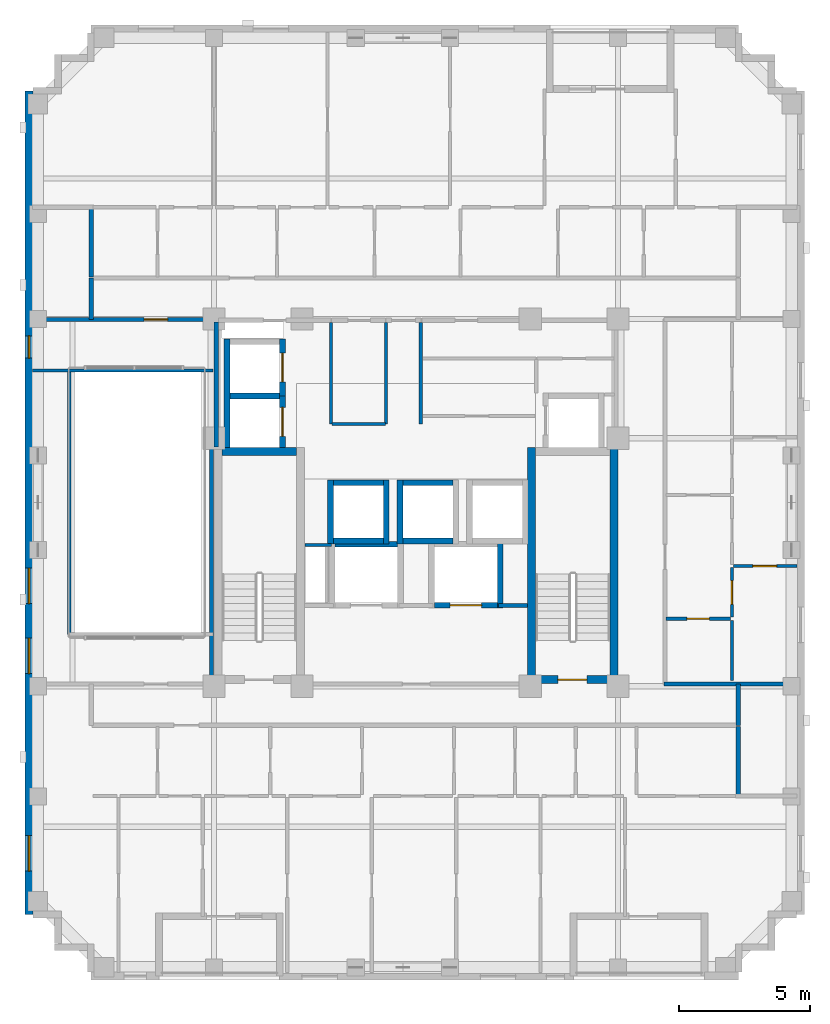
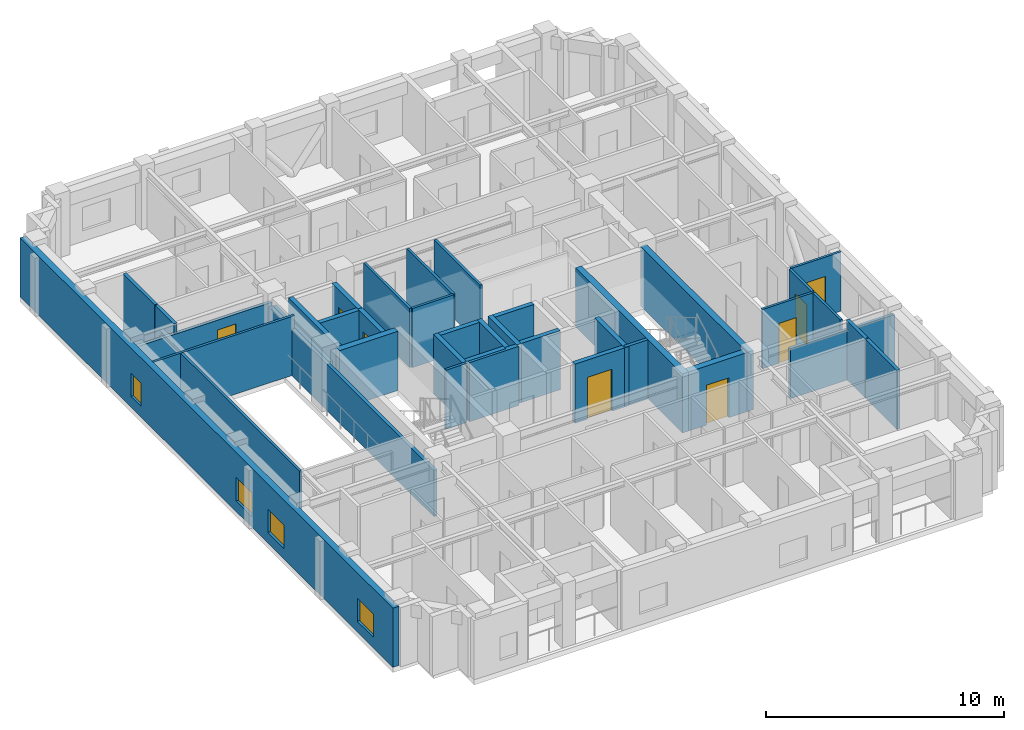
# One storey, part 6 of 13: 39 walls, 8 doors, 4 windows, 12 openings.
"""IFC4 building model written with IfcOpenShell, lengths in metres."""

import ifcopenshell
import ifcopenshell.guid

model = None  # the IFC model being written
_history = None  # IfcOwnerHistory: only IFC2X3 demands one
_inside = {}  # id of a spatial element -> (the spatial element, [elements in it])
_under = {}  # id of a project, library or spatial element -> (it, [spatial elements below it])
_declared = {}  # id of a project -> (the project, [libraries it declares])
_typed = {}  # id of a type object -> (the type object, [elements of that type])
_made_of = {}  # id of a material, layer set ... -> (it, [elements and type objects made of it])


def new_model(schema):
    """Start an empty IFC model of exactly this schema.

    Asked for "IFC4X3", IfcOpenShell would pick the latest addendum, in which some entities
    have other attributes; the version numbers below select the first issue.
    IFC2X3 requires an IfcOwnerHistory on every rooted entity: one is made here for all.
    """
    global model, _history
    if schema == "IFC4X3":
        model = ifcopenshell.file(schema_version=(4, 3, 0, 0))
    else:
        model = ifcopenshell.file(schema=schema)
    _inside.clear()
    _under.clear()
    _declared.clear()
    _typed.clear()
    _made_of.clear()
    _history = None
    if model.schema == "IFC2X3":
        org = make("IfcOrganization", Name="unknown")
        user = make(
            "IfcPersonAndOrganization",
            ThePerson=make("IfcPerson", FamilyName="unknown"),
            TheOrganization=org,
        )
        app = make(
            "IfcApplication",
            ApplicationDeveloper=org,
            Version="unknown",
            ApplicationFullName="unknown",
            ApplicationIdentifier="unknown",
        )
        _history = make(
            "IfcOwnerHistory",
            OwningUser=user,
            OwningApplication=app,
            ChangeAction="ADDED",
            CreationDate=0,
        )
    return model


def make(cls, **values):
    """One entity of the class cls with the attributes given. An attribute that is None is left unset."""
    return model.create_entity(
        cls, **{name: value for name, value in values.items() if value is not None}
    )


def rooted(cls, **values):
    """An entity with a GlobalId (a new one), such as an element, a storey or a relation."""
    return make(cls, GlobalId=ifcopenshell.guid.new(), OwnerHistory=_history, **values)


def si_unit(unit_type, name, prefix=None):
    """IfcSIUnit, for example si_unit("LENGTHUNIT", "METRE", prefix="MILLI")."""
    return make("IfcSIUnit", UnitType=unit_type, Prefix=prefix, Name=name)


def derived_unit(unit_type, elements):
    """IfcDerivedUnit: a product of units, each with its exponent."""
    return make(
        "IfcDerivedUnit",
        Elements=[
            make("IfcDerivedUnitElement", Unit=unit, Exponent=power)
            for unit, power in elements
        ],
        UnitType=unit_type,
    )


def assignment(units):
    """IfcUnitAssignment: the units of a project."""
    return None if units is None else make("IfcUnitAssignment", Units=units)


def point(xyz):
    """IfcCartesianPoint."""
    return None if xyz is None else make("IfcCartesianPoint", Coordinates=xyz)


def direction(xyz):
    """IfcDirection."""
    return None if xyz is None else make("IfcDirection", DirectionRatios=xyz)


def frame(location, z_axis=None, x_axis=None):
    """IfcAxis2Placement3D, a coordinate frame: its origin and axes. An axis left out is left unset."""
    return make(
        "IfcAxis2Placement3D",
        Location=point(location),
        Axis=direction(z_axis),
        RefDirection=direction(x_axis),
    )


def frame_2d(location, x_axis=None):
    """IfcAxis2Placement2D, a coordinate frame in the plane: its origin and x axis."""
    return make(
        "IfcAxis2Placement2D", Location=point(location), RefDirection=direction(x_axis)
    )


def origin():
    """The frame at (0, 0, 0) with its axes left unset."""
    return frame((0.0, 0.0, 0.0))


def place(relative_to, where):
    """IfcLocalPlacement: puts the frame where relative to a parent placement (None: the world)."""
    return make(
        "IfcLocalPlacement", PlacementRelTo=relative_to, RelativePlacement=where
    )


def context(
    kind, dimensions, precision=None, world=None, true_north=None, identifier=None
):
    """IfcGeometricRepresentationContext, for example the 3D "Model" context."""
    return make(
        "IfcGeometricRepresentationContext",
        ContextIdentifier=identifier,
        ContextType=kind,
        CoordinateSpaceDimension=dimensions,
        Precision=precision,
        WorldCoordinateSystem=world,
        TrueNorth=true_north,
    )


def subcontext(parent, identifier, kind, view, scale=None):
    """IfcGeometricRepresentationSubContext, for example "Body" below "Model"."""
    return make(
        "IfcGeometricRepresentationSubContext",
        ContextIdentifier=identifier,
        ContextType=kind,
        ParentContext=parent,
        TargetScale=scale,
        TargetView=view,
    )


def project(units=None, contexts=None):
    """IfcProject with its units and contexts."""
    return rooted(
        "IfcProject",
        Name="project",
        RepresentationContexts=contexts,
        UnitsInContext=assignment(units),
    )


def spatial(cls, under=None, at=None, **own):
    """A site, building, storey or space (cls), placed at a placement, below another one or the project."""
    s = rooted(cls, ObjectPlacement=at, **own)
    if under is not None:
        _under.setdefault(under.id(), (under, []))[1].append(s)
    return s


def profile(cls, at=None, kind="AREA", **sizes):
    """A parametric profile (cls). Its sizes go by their IFC names, for example OverallWidth=200.0."""
    return make(cls, ProfileType=kind, Position=at, **sizes)


def rectangle(**sizes):
    """IfcRectangleProfileDef."""
    return profile("IfcRectangleProfileDef", **sizes)


def extrude(swept, where, along, depth):
    """IfcExtrudedAreaSolid: the profile swept, set in the frame where, extruded along a direction by depth."""
    return make(
        "IfcExtrudedAreaSolid",
        SweptArea=swept,
        Position=where,
        ExtrudedDirection=direction(along),
        Depth=depth,
    )


def shape(context_of_items, identifier, shape_type, items):
    """IfcShapeRepresentation: the items that make up one representation, for example the "Body"."""
    return make(
        "IfcShapeRepresentation",
        ContextOfItems=context_of_items,
        RepresentationIdentifier=identifier,
        RepresentationType=shape_type,
        Items=items,
    )


def material(Name=None, Category=None):
    """IfcMaterial."""
    return make("IfcMaterial", Name=Name, Category=Category)


def layer(
    of_material, thickness, ventilated=None, Name=None, Category=None, Priority=None
):
    """IfcMaterialLayer: one layer of a wall or slab, of a material (None: an air gap)."""
    return make(
        "IfcMaterialLayer",
        Material=of_material,
        LayerThickness=thickness,
        IsVentilated=ventilated,
        Name=Name,
        Category=Category,
        Priority=Priority,
    )


def layer_set(layers, Name=None):
    """IfcMaterialLayerSet."""
    return make("IfcMaterialLayerSet", MaterialLayers=layers, LayerSetName=Name)


def made_of(thing, what):
    """Note that an element or type object is made of a material, layer set ...; save() writes the relation."""
    if what is not None:
        _made_of.setdefault(what.id(), (what, []))[1].append(thing)
    return thing


def type_object(cls, material=None, **own):
    """A type object (cls), such as IfcWallType, which elements share."""
    return made_of(rooted(cls, **own), material)


def element(
    cls,
    number,
    at=None,
    inside=None,
    cuts=None,
    type_object=None,
    material=None,
    context=None,
    identifier="Body",
    shape_type=None,
    held_by="IfcProductDefinitionShape",
    body=None,
    shapes=None,
    **own,
):
    """One element of the class cls, such as IfcWall. Its Tag is "e" and its number.

    at: its placement. inside: the storey or other place that contains it. cuts: it is an
    opening in that element (IfcRelVoidsElement). A single representation is given by context,
    identifier, shape_type and body (its items); several are given by shapes. held_by: the class
    of the entity that holds the representations. save() writes the other relations.
    """
    e = rooted(cls, Tag="e%d" % number, ObjectPlacement=at, **own)
    if body is not None:
        shapes = [shape(context, identifier, shape_type, body)]
    if shapes is not None:
        e.Representation = make(held_by, Representations=shapes)
    if inside is not None:
        _inside.setdefault(inside.id(), (inside, []))[1].append(e)
    if cuts is not None:
        rooted(
            "IfcRelVoidsElement", RelatingBuildingElement=cuts, RelatedOpeningElement=e
        )
    if type_object is not None:
        _typed.setdefault(type_object.id(), (type_object, []))[1].append(e)
    return made_of(e, material)


def fill(opening, filler):
    """IfcRelFillsElement: the door or window that sits in an opening."""
    return rooted(
        "IfcRelFillsElement",
        RelatingOpeningElement=opening,
        RelatedBuildingElement=filler,
    )


def aggregate(whole, parts):
    """IfcRelAggregates: a whole, such as a stair, and the parts it consists of."""
    return rooted("IfcRelAggregates", RelatingObject=whole, RelatedObjects=parts)


def save(model, path):
    """Write the relations noted so far, then the file.

    IfcRelAggregates (storeys below a building ...), IfcRelContainedInSpatialStructure (elements
    in a storey), IfcRelDefinesByType, IfcRelAssociatesMaterial and IfcRelDeclares: one each for
    every whole, place, type object, material and project.
    """
    for whole, parts in _under.values():
        aggregate(whole, parts)
    for where, things in _inside.values():
        rooted(
            "IfcRelContainedInSpatialStructure",
            RelatedElements=things,
            RelatingStructure=where,
        )
    for kind, things in _typed.values():
        rooted("IfcRelDefinesByType", RelatedObjects=things, RelatingType=kind)
    for what, things in _made_of.values():
        rooted("IfcRelAssociatesMaterial", RelatedObjects=things, RelatingMaterial=what)
    for by, libraries in _declared.values():
        rooted("IfcRelDeclares", RelatingContext=by, RelatedDefinitions=libraries)
    model.write(path)


model = new_model("IFC4")

# Units and contexts
model_context = context("Model", 3, precision=1e-05, world=origin(), true_north=direction((0.0, 1.0)))
body_context = subcontext(model_context, "Body", "Model", "MODEL_VIEW")
ifc_project = project(units=[si_unit("LENGTHUNIT", "METRE"), si_unit("AREAUNIT", "SQUARE_METRE"), si_unit("VOLUMEUNIT", "CUBIC_METRE"), si_unit("PLANEANGLEUNIT", "RADIAN"), si_unit("MASSUNIT", "GRAM", prefix="KILO"), derived_unit("THERMALTRANSMITTANCEUNIT", [(si_unit("MASSUNIT", "GRAM", prefix="KILO"), 1), (si_unit("TIMEUNIT", "SECOND"), -3), (si_unit("THERMODYNAMICTEMPERATUREUNIT", "KELVIN"), -1)])], contexts=[model_context])

# Site, building, storey
site_placement = place(None, origin())
site = spatial("IfcSite", under=ifc_project, at=site_placement, CompositionType="ELEMENT")
building_placement = place(site_placement, origin())
building = spatial("IfcBuilding", under=site, at=building_placement, Name="Korrvale Station Residences", CompositionType="ELEMENT")
storey_placement = place(building_placement, frame((0.0, 0.0, 177.699951171875)))
storey = spatial("IfcBuildingStorey", under=building, at=storey_placement, Name="L51", CompositionType="ELEMENT", Elevation=177.699951171875)

# Walls
ifc_material_1 = material(Name="Concrete C50/60", Category="concrete")
ifc_layer_1 = layer(ifc_material_1, 0.300048828125, Name="Concrete C50/60")
ifc_layer_set_1 = layer_set([ifc_layer_1], Name="Concrete C50/60")
wall_type_1 = type_object("IfcWallType", Name="WAL-CORE-300-C50", PredefinedType="SHEAR", material=ifc_layer_set_1)
wall_1_placement = place(storey_placement, frame((18.10009765625, 23.949951171875, 0.0), z_axis=(0.0, 0.0, 1.0), x_axis=(1.0, 0.0, 0.0)))
element("IfcWall", 1, at=wall_1_placement, inside=storey, type_object=wall_type_1, Name="L51 ST-1 Core Shear Wall North", PredefinedType="SHEAR", context=body_context, shape_type="SweptSolid", body=[
    extrude(rectangle(XDim=2.849853515625, YDim=0.300048828125, at=frame_2d((1.4248046875, 0.0))), origin(), (0.0, 0.0, 1.0), 3.0400390625),
])
for number, where, z_axis, x_axis, name in (
    (2, (29.89990234375, 15.10009765625, 0.0), (0.0, 0.0, 1.0), (0.0, 1.0, 0.0), "L51 ST-2 Core Shear Wall West"),
    (3, (33.050048828125, 15.10009765625, 0.0), (0.0, 0.0, 1.0), (0.0, 1.0, 0.0), "L51 ST-2 Core Shear Wall East"),
):
    element("IfcWall", number, at=place(storey_placement, frame(where, z_axis=z_axis, x_axis=x_axis)), inside=storey, type_object=wall_type_1, Name=name, PredefinedType="SHEAR", context=body_context, shape_type="SweptSolid", body=[
        extrude(rectangle(XDim=9.0, YDim=0.300048828125, at=frame_2d((4.5, 0.0))), origin(), (0.0, 0.0, 1.0), 3.0400390625),
    ])

# Wall, opening, door
wall_2_placement = place(storey_placement, frame((30.050048828125, 15.25, 0.0), z_axis=(0.0, 0.0, 1.0), x_axis=(1.0, 0.0, 0.0)))
wall_2 = element("IfcWall", 4, at=wall_2_placement, inside=storey, type_object=wall_type_1, Name="L51 ST-2 Core Shear Wall South", PredefinedType="SHEAR", context=body_context, shape_type="SweptSolid", body=[
    extrude(rectangle(XDim=2.849853515625, YDim=0.300048828125, at=frame_2d((1.4248046875, 0.0))), origin(), (0.0, 0.0, 1.0), 3.0400390625),
])
opening_1_placement = place(wall_2_placement, frame((0.860107421875, 0.0, 0.0)))
opening_1 = element("IfcOpeningElement", 5, at=opening_1_placement, cuts=wall_2, Name="Opening SD-1100", PredefinedType="OPENING", context=body_context, shape_type="SweptSolid", body=[
    extrude(rectangle(XDim=1.10009765625, YDim=2.050048828125, at=frame_2d((0.550048828125, 1.02490234375))), frame((0.0, 0.16015625, 0.0), z_axis=(0.0, -1.0, 0.0), x_axis=(1.0, 0.0, 0.0)), (0.0, 0.0, 1.0), 0.320068359375),
])
ifc_material_2 = material(Name="Hollow-metal fire-rated stair door with closer", Category="steel")
door_type_1 = type_object("IfcDoorType", Name="DR-STAIR-1100", OperationType="NOTDEFINED", PredefinedType="DOOR", material=ifc_material_2)
door_1_placement = place(opening_1_placement, origin())
door_1 = element("IfcDoor", 6, at=door_1_placement, inside=storey, type_object=door_type_1, Name="L51 ST-2 Exit Stair Door", OperationType="SINGLE_SWING_RIGHT", OverallHeight=2.050048828125, OverallWidth=1.10009765625, PredefinedType="DOOR", context=body_context, shape_type="SweptSolid", body=[
    extrude(rectangle(XDim=1.10009765625, YDim=2.050048828125, at=frame_2d((0.550048828125, 1.02490234375))), frame((0.0, 0.02490234375, 0.0), z_axis=(0.0, -1.0, 0.0), x_axis=(1.0, 0.0, 0.0)), (0.0, 0.0, 1.0), 0.050048828125),
])
fill(opening_1, door_1)

# Wall, openings, windows
ifc_material_3 = material(Name="Precast concrete C45/55", Category="concrete")
ifc_layer_2 = layer(ifc_material_3, 0.300048828125, Name="Precast concrete C45/55")
ifc_layer_set_2 = layer_set([ifc_layer_2], Name="Precast concrete C45/55")
wall_type_2 = type_object("IfcWallType", Name="WAL-EXT-PC300", PredefinedType="SOLIDWALL", material=ifc_layer_set_2)
wall_3_placement = place(storey_placement, frame((10.75, 6.300048828125, 0.0), z_axis=(0.0, 0.0, 1.0), x_axis=(0.0, 1.0, 0.0)))
wall_3 = element("IfcWall", 7, at=wall_3_placement, inside=storey, type_object=wall_type_2, Name="L51 West Exterior Precast Wall 1", PredefinedType="SOLIDWALL", context=body_context, shape_type="SweptSolid", body=[
    extrude(rectangle(XDim=31.39990234375, YDim=0.300048828125, at=frame_2d((15.699951171875, 0.0))), origin(), (0.0, 0.0, 1.0), 3.0400390625),
])
opening_2_placement = place(wall_3_placement, frame((1.653076171875, 0.0, 0.550048828125)))
opening_2 = element("IfcOpeningElement", 8, at=opening_2_placement, cuts=wall_3, Name="Opening W-10", PredefinedType="OPENING", context=body_context, shape_type="SweptSolid", body=[
    extrude(rectangle(XDim=1.35009765625, YDim=1.199951171875, at=frame_2d((0.675048828125, 0.60009765625))), frame((0.0, 0.16015625, 0.0), z_axis=(0.0, -1.0, 0.0), x_axis=(1.0, 0.0, 0.0)), (0.0, 0.0, 1.0), 0.320068359375),
])
opening_3_placement = place(wall_3_placement, frame((11.85009765625, 0.0, 0.550048828125)))
opening_3 = element("IfcOpeningElement", 9, at=opening_3_placement, cuts=wall_3, Name="Opening W-10", PredefinedType="OPENING", context=body_context, shape_type="SweptSolid", body=[
    extrude(rectangle(XDim=1.35009765625, YDim=1.199951171875, at=frame_2d((0.675048828125, 0.60009765625))), frame((0.0, 0.16015625, 0.0), z_axis=(0.0, -1.0, 0.0), x_axis=(1.0, 0.0, 0.0)), (0.0, 0.0, 1.0), 0.320068359375),
])
opening_4_placement = place(wall_3_placement, frame((9.18505859375, 0.0, 0.550048828125)))
opening_4 = element("IfcOpeningElement", 10, at=opening_4_placement, cuts=wall_3, Name="Opening W-10", PredefinedType="OPENING", context=body_context, shape_type="SweptSolid", body=[
    extrude(rectangle(XDim=1.35009765625, YDim=1.199951171875, at=frame_2d((0.675048828125, 0.60009765625))), frame((0.0, 0.16015625, 0.0), z_axis=(0.0, -1.0, 0.0), x_axis=(1.0, 0.0, 0.0)), (0.0, 0.0, 1.0), 0.320068359375),
])
opening_5_placement = place(wall_3_placement, frame((21.208984375, 0.0, 0.550048828125)))
opening_5 = element("IfcOpeningElement", 11, at=opening_5_placement, cuts=wall_3, Name="Opening W-11", PredefinedType="OPENING", context=body_context, shape_type="SweptSolid", body=[
    extrude(rectangle(XDim=0.85009765625, YDim=1.199951171875, at=frame_2d((0.425048828125, 0.60009765625))), frame((0.0, 0.16015625, 0.0), z_axis=(0.0, -1.0, 0.0), x_axis=(1.0, 0.0, 0.0)), (0.0, 0.0, 1.0), 0.320068359375),
])
ifc_material_4 = material(Name="Thermally broken aluminium frame with triple low-e glazing", Category="aluminium")
window_type_1 = type_object("IfcWindowType", Name="WIN-W10", PartitioningType="SINGLE_PANEL", PredefinedType="WINDOW", material=ifc_material_4)
window_1_placement = place(opening_2_placement, origin())
window_1 = element("IfcWindow", 12, at=window_1_placement, inside=storey, type_object=window_type_1, Name="L51 Punched Window 01", OverallHeight=1.199951171875, OverallWidth=1.35009765625, PartitioningType="SINGLE_PANEL", PredefinedType="WINDOW", context=body_context, shape_type="SweptSolid", body=[
    extrude(rectangle(XDim=1.35009765625, YDim=1.199951171875, at=frame_2d((0.675048828125, 0.60009765625))), frame((0.0, 0.030029296875, 0.0), z_axis=(0.0, -1.0, 0.0), x_axis=(1.0, 0.0, 0.0)), (0.0, 0.0, 1.0), 0.06005859375),
])
fill(opening_2, window_1)
window_2_placement = place(opening_3_placement, origin())
window_2 = element("IfcWindow", 13, at=window_2_placement, inside=storey, type_object=window_type_1, Name="L51 Punched Window 15", OverallHeight=1.199951171875, OverallWidth=1.35009765625, PartitioningType="SINGLE_PANEL", PredefinedType="WINDOW", context=body_context, shape_type="SweptSolid", body=[
    extrude(rectangle(XDim=1.35009765625, YDim=1.199951171875, at=frame_2d((0.675048828125, 0.60009765625))), frame((0.0, 0.030029296875, 0.0), z_axis=(0.0, -1.0, 0.0), x_axis=(1.0, 0.0, 0.0)), (0.0, 0.0, 1.0), 0.06005859375),
])
fill(opening_3, window_2)
window_3_placement = place(opening_4_placement, origin())
window_3 = element("IfcWindow", 14, at=window_3_placement, inside=storey, type_object=window_type_1, Name="L51 Punched Window 16", OverallHeight=1.199951171875, OverallWidth=1.35009765625, PartitioningType="SINGLE_PANEL", PredefinedType="WINDOW", context=body_context, shape_type="SweptSolid", body=[
    extrude(rectangle(XDim=1.35009765625, YDim=1.199951171875, at=frame_2d((0.675048828125, 0.60009765625))), frame((0.0, 0.030029296875, 0.0), z_axis=(0.0, -1.0, 0.0), x_axis=(1.0, 0.0, 0.0)), (0.0, 0.0, 1.0), 0.06005859375),
])
fill(opening_4, window_3)
window_type_2 = type_object("IfcWindowType", Name="WIN-W11", PartitioningType="SINGLE_PANEL", PredefinedType="WINDOW", material=ifc_material_4)
window_4_placement = place(opening_5_placement, origin())
window_4 = element("IfcWindow", 15, at=window_4_placement, inside=storey, type_object=window_type_2, Name="L51 Punched Window 17", OverallHeight=1.199951171875, OverallWidth=0.85009765625, PartitioningType="SINGLE_PANEL", PredefinedType="WINDOW", context=body_context, shape_type="SweptSolid", body=[
    extrude(rectangle(XDim=0.85009765625, YDim=1.199951171875, at=frame_2d((0.425048828125, 0.60009765625))), frame((0.0, 0.030029296875, 0.0), z_axis=(0.0, -1.0, 0.0), x_axis=(1.0, 0.0, 0.0)), (0.0, 0.0, 1.0), 0.06005859375),
])
fill(opening_5, window_4)

# Walls
ifc_material_5 = material(Name="Acoustic steel-stud gypsum board partition", Category="steel")
ifc_layer_3 = layer(ifc_material_5, 0.1201171875, Name="Acoustic steel-stud gypsum board partition")
ifc_layer_set_3 = layer_set([ifc_layer_3], Name="Acoustic steel-stud gypsum board partition")
wall_type_3 = type_object("IfcWallType", Name="WAL-PART-125", PredefinedType="PARTITIONING", material=ifc_layer_set_3)
wall_4_placement = place(storey_placement, frame((22.280029296875, 20.3798828125, 0.0), z_axis=(0.0, 0.0, 1.0), x_axis=(-1.0, 0.0, 0.0)))
element("IfcWall", 16, at=wall_4_placement, inside=storey, type_object=wall_type_3, Name="L51 Core Partition CW-RSWT-N", PredefinedType="PARTITIONING", context=body_context, shape_type="SweptSolid", body=[
    extrude(rectangle(XDim=1.02001953125, YDim=0.1201171875, at=frame_2d((0.510009765625, 0.0))), origin(), (0.0, 0.0, 1.0), 3.0400390625),
])
for number, where, z_axis, x_axis, name in (
    (17, (24.360107421875, 25.0, 0.0), (0.0, 0.0, 1.0), (0.0, 1.0, 0.0), "L51 Core Partition CW-PSG-W"),
    (18, (25.679931640625, 25.0, 0.0), (0.0, 0.0, 1.0), (0.0, 1.0, 0.0), "L51 Core Partition CW-PSG-E"),
):
    element("IfcWall", number, at=place(storey_placement, frame(where, z_axis=z_axis, x_axis=x_axis)), inside=storey, type_object=wall_type_3, Name=name, PredefinedType="PARTITIONING", context=body_context, shape_type="SweptSolid", body=[
        extrude(rectangle(XDim=3.8701171875, YDim=0.1201171875, at=frame_2d((1.93505859375, 0.0))), origin(), (0.0, 0.0, 1.0), 3.0400390625),
    ])
wall_5_placement = place(storey_placement, frame((22.260009765625, 25.0, 0.0), z_axis=(0.0, 0.0, 1.0), x_axis=(0.0, 1.0, 0.0)))
element("IfcWall", 19, at=wall_5_placement, inside=storey, type_object=wall_type_3, Name="L51 Core Partition CW-FPLW-W", PredefinedType="PARTITIONING", context=body_context, shape_type="SweptSolid", body=[
    extrude(rectangle(XDim=3.860107421875, YDim=0.1201171875, at=frame_2d((1.93017578125, 0.0))), origin(), (0.0, 0.0, 1.0), 3.0400390625),
])
wall_6_placement = place(storey_placement, frame((22.300048828125, 25.0, 0.0), z_axis=(0.0, 0.0, 1.0), x_axis=(1.0, 0.0, 0.0)))
element("IfcWall", 20, at=wall_6_placement, inside=storey, type_object=wall_type_3, Name="L51 Core Partition CW-FPLW-S", PredefinedType="PARTITIONING", context=body_context, shape_type="SweptSolid", body=[
    extrude(rectangle(XDim=2.0400390625, YDim=0.1201171875, at=frame_2d((1.02001953125, 0.0))), origin(), (0.0, 0.0, 1.0), 3.0400390625),
])
wall_7_placement = place(storey_placement, frame((12.280029296875, 16.97998046875, 0.0), z_axis=(0.0, 0.0, 1.0), x_axis=(0.0, 1.0, 0.0)))
element("IfcWall", 21, at=wall_7_placement, inside=storey, type_object=wall_type_3, Name="L51 Atrium West Void Screen Wall", PredefinedType="PARTITIONING", context=body_context, shape_type="SweptSolid", body=[
    extrude(rectangle(XDim=10.0400390625, YDim=0.1201171875, at=frame_2d((5.02001953125, 0.0))), origin(), (0.0, 0.0, 1.0), 3.0400390625),
])
wall_8_placement = place(storey_placement, frame((10.8798828125, 27.0400390625, 0.0), z_axis=(0.0, 0.0, 1.0), x_axis=(1.0, 0.0, 0.0)))
element("IfcWall", 22, at=wall_8_placement, inside=storey, type_object=wall_type_3, Name="L51 Atrium Salon Void Wall", PredefinedType="PARTITIONING", context=body_context, shape_type="SweptSolid", body=[
    extrude(rectangle(XDim=6.880126953125, YDim=0.1201171875, at=frame_2d((3.43994140625, 0.0))), origin(), (0.0, 0.0, 1.0), 3.0400390625),
])

# Wall, opening, door
wall_9_placement = place(storey_placement, frame((35.030029296875, 17.570068359375, 0.0), z_axis=(0.0, 0.0, 1.0), x_axis=(1.0, 0.0, 0.0)))
wall_9 = element("IfcWall", 23, at=wall_9_placement, inside=storey, type_object=wall_type_3, Name="L51 Suite Partition U03-H12", PredefinedType="PARTITIONING", context=body_context, shape_type="SweptSolid", body=[
    extrude(rectangle(XDim=2.449951171875, YDim=0.1201171875, at=frame_2d((1.22509765625, 0.0))), origin(), (0.0, 0.0, 1.0), 3.0400390625),
])
opening_6_placement = place(wall_9_placement, frame((0.794921875, 0.0, 0.0)))
opening_6 = element("IfcOpeningElement", 24, at=opening_6_placement, cuts=wall_9, Name="Opening DB-860", PredefinedType="OPENING", context=body_context, shape_type="SweptSolid", body=[
    extrude(rectangle(XDim=0.860107421875, YDim=2.050048828125, at=frame_2d((0.43017578125, 1.02490234375))), frame((0.0, 0.070068359375, 0.0), z_axis=(0.0, -1.0, 0.0), x_axis=(1.0, 0.0, 0.0)), (0.0, 0.0, 1.0), 0.14013671875),
])
ifc_material_6 = material(Name="Moisture-resistant solid-core bathroom door", Category="timber")
door_type_2 = type_object("IfcDoorType", Name="DR-BATH-860", OperationType="NOTDEFINED", PredefinedType="DOOR", material=ifc_material_6)
door_2_placement = place(opening_6_placement, origin())
door_2 = element("IfcDoor", 25, at=door_2_placement, inside=storey, type_object=door_type_2, Name="L51 Apartment 2BR L51-U03 Bathroom Door", OperationType="SINGLE_SWING_LEFT", OverallHeight=2.050048828125, OverallWidth=0.860107421875, PredefinedType="DOOR", context=body_context, shape_type="SweptSolid", body=[
    extrude(rectangle(XDim=0.860107421875, YDim=2.050048828125, at=frame_2d((0.43017578125, 1.02490234375))), frame((0.0, 0.02490234375, 0.0), z_axis=(0.0, -1.0, 0.0), x_axis=(1.0, 0.0, 0.0)), (0.0, 0.0, 1.0), 0.050048828125),
])
fill(opening_6, door_2)

# Wall
wall_10_placement = place(storey_placement, frame((37.5400390625, 15.2099609375, 0.0), z_axis=(0.0, 0.0, 1.0), x_axis=(0.0, 1.0, 0.0)))
element("IfcWall", 26, at=wall_10_placement, inside=storey, type_object=wall_type_3, Name="L51 Suite Partition U03-V13", PredefinedType="PARTITIONING", context=body_context, shape_type="SweptSolid", body=[
    extrude(rectangle(XDim=2.300048828125, YDim=0.1201171875, at=frame_2d((1.14990234375, 0.0))), origin(), (0.0, 0.0, 1.0), 3.0400390625),
])

# Wall, opening, door
wall_11_placement = place(storey_placement, frame((37.5400390625, 17.6298828125, 0.0), z_axis=(0.0, 0.0, 1.0), x_axis=(0.0, 1.0, 0.0)))
wall_11 = element("IfcWall", 27, at=wall_11_placement, inside=storey, type_object=wall_type_3, Name="L51 Suite Partition U03-V23", PredefinedType="PARTITIONING", context=body_context, shape_type="SweptSolid", body=[
    extrude(rectangle(XDim=1.88818359375, YDim=0.1201171875, at=frame_2d((0.944091796875, 0.0))), origin(), (0.0, 0.0, 1.0), 3.0400390625),
])
opening_7_placement = place(wall_11_placement, frame((0.493896484375, 0.0, 0.0)))
opening_7 = element("IfcOpeningElement", 28, at=opening_7_placement, cuts=wall_11, Name="Opening DI-900", PredefinedType="OPENING", context=body_context, shape_type="SweptSolid", body=[
    extrude(rectangle(XDim=0.89990234375, YDim=2.050048828125, at=frame_2d((0.449951171875, 1.02490234375))), frame((0.0, 0.070068359375, 0.0), z_axis=(0.0, -1.0, 0.0), x_axis=(1.0, 0.0, 0.0)), (0.0, 0.0, 1.0), 0.14013671875),
])
ifc_material_7 = material(Name="Painted solid-core timber interior room door", Category="wood")
door_type_3 = type_object("IfcDoorType", Name="DR-INT-900", OperationType="NOTDEFINED", PredefinedType="DOOR", material=ifc_material_7)
door_3_placement = place(opening_7_placement, origin())
door_3 = element("IfcDoor", 29, at=door_3_placement, inside=storey, type_object=door_type_3, Name="L51 Apartment 2BR L51-U03 Kitchen Door", OperationType="SINGLE_SWING_RIGHT", OverallHeight=2.050048828125, OverallWidth=0.89990234375, PredefinedType="DOOR", context=body_context, shape_type="SweptSolid", body=[
    extrude(rectangle(XDim=0.89990234375, YDim=2.050048828125, at=frame_2d((0.449951171875, 1.02490234375))), frame((0.0, 0.02490234375, 0.0), z_axis=(0.0, -1.0, 0.0), x_axis=(1.0, 0.0, 0.0)), (0.0, 0.0, 1.0), 0.050048828125),
])
fill(opening_7, door_3)

wall_12_placement = place(storey_placement, frame((37.60009765625, 19.577880859375, 0.0), z_axis=(0.0, 0.0, 1.0), x_axis=(1.0, 0.0, 0.0)))
wall_12 = element("IfcWall", 30, at=wall_12_placement, inside=storey, type_object=wall_type_3, Name="L51 Suite Partition U03-H34", PredefinedType="PARTITIONING", context=body_context, shape_type="SweptSolid", body=[
    extrude(rectangle(XDim=2.419921875, YDim=0.1201171875, at=frame_2d((1.2099609375, 0.0))), origin(), (0.0, 0.0, 1.0), 3.0400390625),
])
opening_8_placement = place(wall_12_placement, frame((0.7451171875, 0.0, 0.0)))
opening_8 = element("IfcOpeningElement", 31, at=opening_8_placement, cuts=wall_12, Name="Opening DI-900", PredefinedType="OPENING", context=body_context, shape_type="SweptSolid", body=[
    extrude(rectangle(XDim=0.89990234375, YDim=2.050048828125, at=frame_2d((0.449951171875, 1.02490234375))), frame((0.0, 0.070068359375, 0.0), z_axis=(0.0, -1.0, 0.0), x_axis=(1.0, 0.0, 0.0)), (0.0, 0.0, 1.0), 0.14013671875),
])
door_4_placement = place(opening_8_placement, origin())
door_4 = element("IfcDoor", 32, at=door_4_placement, inside=storey, type_object=door_type_3, Name="L51 Apartment 2BR L51-U03 Bedroom 1 Door", OperationType="SINGLE_SWING_RIGHT", OverallHeight=2.050048828125, OverallWidth=0.89990234375, PredefinedType="DOOR", context=body_context, shape_type="SweptSolid", body=[
    extrude(rectangle(XDim=0.89990234375, YDim=2.050048828125, at=frame_2d((0.449951171875, 1.02490234375))), frame((0.0, 0.02490234375, 0.0), z_axis=(0.0, -1.0, 0.0), x_axis=(1.0, 0.0, 0.0)), (0.0, 0.0, 1.0), 0.050048828125),
])
fill(opening_8, door_4)

# Walls
ifc_material_8 = material(Name="Fire-rated twin-stud gypsum and mineral wool shaftwall assembly", Category="gypsum")
ifc_layer_4 = layer(ifc_material_8, 0.159912109375, Name="Fire-rated twin-stud gypsum and mineral wool shaftwall assembly")
ifc_layer_set_4 = layer_set([ifc_layer_4], Name="Fire-rated twin-stud gypsum and mineral wool shaftwall assembly")
wall_type_4 = type_object("IfcWallType", Name="WAL-PART-200", PredefinedType="PARTITIONING", material=ifc_layer_set_4)
wall_13_placement = place(storey_placement, frame((28.64990234375, 18.080078125, 0.0), z_axis=(0.0, 0.0, 1.0), x_axis=(1.0, 0.0, 0.0)))
element("IfcWall", 33, at=wall_13_placement, inside=storey, type_object=wall_type_4, Name="L51 Core Partition CW-FFL-N3", PredefinedType="PARTITIONING", context=body_context, shape_type="SweptSolid", body=[
    extrude(rectangle(XDim=1.10009765625, YDim=0.159912109375, at=frame_2d((0.550048828125, 0.0))), origin(), (0.0, 0.0, 1.0), 3.0400390625),
])
wall_14_placement = place(storey_placement, frame((17.8798828125, 24.1201171875, 0.0), z_axis=(0.0, 0.0, 1.0), x_axis=(0.0, 1.0, 0.0)))
element("IfcWall", 34, at=wall_14_placement, inside=storey, type_object=wall_type_4, Name="L51 Core Partition CW-W-N", PredefinedType="PARTITIONING", context=body_context, shape_type="SweptSolid", body=[
    extrude(rectangle(XDim=4.759765625, YDim=0.159912109375, at=frame_2d((2.3798828125, 0.0))), origin(), (0.0, 0.0, 1.0), 2.375),
])
for number, where, z_axis, x_axis, name in (
    (35, (37.780029296875, 13.510009765625, 0.0), (0.0, 0.0, 1.0), (0.0, 1.0, 0.0), "L51 Corridor South East Cap"),
    (36, (13.1201171875, 28.97998046875, 0.0), (0.0, 0.0, 1.0), (0.0, 1.0, 0.0), "L51 Corridor North West Cap"),
):
    element("IfcWall", number, at=place(storey_placement, frame(where, z_axis=z_axis, x_axis=x_axis)), inside=storey, type_object=wall_type_4, Name=name, PredefinedType="PARTITIONING", context=body_context, shape_type="SweptSolid", body=[
        extrude(rectangle(XDim=1.580078125, YDim=0.159912109375, at=frame_2d((0.7900390625, 0.0))), origin(), (0.0, 0.0, 1.0), 3.0400390625),
    ])

# Wall, opening, door
wall_15_placement = place(storey_placement, frame((10.8798828125, 28.97998046875, 0.0), z_axis=(0.0, 0.0, 1.0), x_axis=(1.0, 0.0, 0.0)))
wall_15 = element("IfcWall", 37, at=wall_15_placement, inside=storey, type_object=wall_type_4, Name="L51 Atrium Salon North Wall", PredefinedType="PARTITIONING", context=body_context, shape_type="SweptSolid", body=[
    extrude(rectangle(XDim=6.880126953125, YDim=0.159912109375, at=frame_2d((3.43994140625, 0.0))), origin(), (0.0, 0.0, 1.0), 2.55615234375),
])
opening_9_placement = place(wall_15_placement, frame((4.25, 0.0, 0.0)))
opening_9 = element("IfcOpeningElement", 38, at=opening_9_placement, cuts=wall_15, Name="Opening DI-900", PredefinedType="OPENING", context=body_context, shape_type="SweptSolid", body=[
    extrude(rectangle(XDim=0.89990234375, YDim=2.050048828125, at=frame_2d((0.449951171875, 1.02490234375))), frame((0.0, 0.08984375, 0.0), z_axis=(0.0, -1.0, 0.0), x_axis=(1.0, 0.0, 0.0)), (0.0, 0.0, 1.0), 0.179931640625),
])
door_5_placement = place(opening_9_placement, origin())
door_5 = element("IfcDoor", 39, at=door_5_placement, inside=storey, type_object=door_type_3, Name="L51 Atrium Salon North Door", OperationType="SINGLE_SWING_RIGHT", OverallHeight=2.050048828125, OverallWidth=0.89990234375, PredefinedType="DOOR", context=body_context, shape_type="SweptSolid", body=[
    extrude(rectangle(XDim=0.89990234375, YDim=2.050048828125, at=frame_2d((0.449951171875, 1.02490234375))), frame((0.0, 0.02490234375, 0.0), z_axis=(0.0, -1.0, 0.0), x_axis=(1.0, 0.0, 0.0)), (0.0, 0.0, 1.0), 0.050048828125),
])
fill(opening_9, door_5)

# Walls
wall_16_placement = place(storey_placement, frame((34.949951171875, 15.090087890625, 0.0), z_axis=(0.0, 0.0, 1.0), x_axis=(1.0, 0.0, 0.0)))
element("IfcWall", 40, at=wall_16_placement, inside=storey, type_object=wall_type_4, Name="L51 East Wing South Corridor Wall", PredefinedType="PARTITIONING", context=body_context, shape_type="SweptSolid", body=[
    extrude(rectangle(XDim=5.070068359375, YDim=0.159912109375, at=frame_2d((2.53515625, 0.0))), origin(), (0.0, 0.0, 1.0), 2.55615234375),
])
for number, where, z_axis, x_axis, name in (
    (41, (37.780029296875, 10.81005859375, 0.0), (0.0, 0.0, 1.0), (0.0, 1.0, 0.0), "L51 Corner Step Cheek U01-R"),
    (42, (13.1201171875, 30.60009765625, 0.0), (0.0, 0.0, 1.0), (0.0, 1.0, 0.0), "L51 Corner Step Cheek U02-L"),
):
    element("IfcWall", number, at=place(storey_placement, frame(where, z_axis=z_axis, x_axis=x_axis)), inside=storey, type_object=wall_type_4, Name=name, PredefinedType="PARTITIONING", context=body_context, shape_type="SweptSolid", body=[
        extrude(rectangle(XDim=2.659912109375, YDim=0.159912109375, at=frame_2d((1.330078125, 0.0))), origin(), (0.0, 0.0, 1.0), 3.0400390625),
    ])
wall_17_placement = place(storey_placement, frame((17.699951171875, 15.02001953125, 0.0), z_axis=(0.0, 0.0, 1.0), x_axis=(0.0, 1.0, 0.0)))
element("IfcWall", 43, at=wall_17_placement, inside=storey, type_object=wall_type_4, Name="L51 Rated Corridor Wall W", PredefinedType="PARTITIONING", context=body_context, shape_type="SweptSolid", body=[
    extrude(rectangle(XDim=13.97998046875, YDim=0.159912109375, at=frame_2d((6.989990234375, 0.0))), origin(), (0.0, 0.0, 1.0), 2.375),
])
ifc_layer_5 = layer(ifc_material_1, 0.219970703125, Name="Concrete C50/60")
ifc_layer_set_5 = layer_set([ifc_layer_5], Name="Concrete C50/60")
wall_type_5 = type_object("IfcWallType", Name="WAL-SHAFT-220-C50", PredefinedType="SHEAR", material=ifc_layer_set_5)
for number, where, z_axis, x_axis, name in (
    (44, (22.35009765625, 20.5400390625, 0.0), (0.0, 0.0, 1.0), (1.0, 0.0, 0.0), "L51 Elevator PM-1 Hoistway Wall South"),
    (45, (22.35009765625, 22.760009765625, 0.0), (0.0, 0.0, 1.0), (1.0, 0.0, 0.0), "L51 Elevator PM-1 Hoistway Wall North"),
):
    element("IfcWall", number, at=place(storey_placement, frame(where, z_axis=z_axis, x_axis=x_axis)), inside=storey, type_object=wall_type_5, Name=name, PredefinedType="SHEAR", context=body_context, shape_type="SweptSolid", body=[
        extrude(rectangle(XDim=1.89990234375, YDim=0.219970703125, at=frame_2d((0.949951171875, 0.0))), origin(), (0.0, 0.0, 1.0), 3.0400390625),
    ])
for number, where, z_axis, x_axis, name in (
    (46, (22.239990234375, 20.429931640625, 0.0), (0.0, 0.0, 1.0), (0.0, 1.0, 0.0), "L51 Elevator PM-1 Hoistway Wall West"),
    (47, (24.360107421875, 20.429931640625, 0.0), (0.0, 0.0, 1.0), (0.0, 1.0, 0.0), "L51 Elevator PM-1 Hoistway Wall East"),
):
    element("IfcWall", number, at=place(storey_placement, frame(where, z_axis=z_axis, x_axis=x_axis)), inside=storey, type_object=wall_type_5, Name=name, PredefinedType="SHEAR", context=body_context, shape_type="SweptSolid", body=[
        extrude(rectangle(XDim=2.440185546875, YDim=0.219970703125, at=frame_2d((1.22021484375, 0.0))), origin(), (0.0, 0.0, 1.0), 3.0400390625),
    ])
for number, where, z_axis, x_axis, name in (
    (48, (25.0, 20.5400390625, 0.0), (0.0, 0.0, 1.0), (1.0, 0.0, 0.0), "L51 Elevator PM-2 Hoistway Wall South"),
    (49, (25.0, 22.760009765625, 0.0), (0.0, 0.0, 1.0), (1.0, 0.0, 0.0), "L51 Elevator PM-2 Hoistway Wall North"),
):
    element("IfcWall", number, at=place(storey_placement, frame(where, z_axis=z_axis, x_axis=x_axis)), inside=storey, type_object=wall_type_5, Name=name, PredefinedType="SHEAR", context=body_context, shape_type="SweptSolid", body=[
        extrude(rectangle(XDim=1.89990234375, YDim=0.219970703125, at=frame_2d((0.949951171875, 0.0))), origin(), (0.0, 0.0, 1.0), 3.0400390625),
    ])
wall_18_placement = place(storey_placement, frame((24.889892578125, 20.429931640625, 0.0), z_axis=(0.0, 0.0, 1.0), x_axis=(0.0, 1.0, 0.0)))
element("IfcWall", 50, at=wall_18_placement, inside=storey, type_object=wall_type_5, Name="L51 Elevator PM-2 Hoistway Wall West", PredefinedType="SHEAR", context=body_context, shape_type="SweptSolid", body=[
    extrude(rectangle(XDim=2.440185546875, YDim=0.219970703125, at=frame_2d((1.22021484375, 0.0))), origin(), (0.0, 0.0, 1.0), 3.0400390625),
])
wall_19_placement = place(storey_placement, frame((18.2900390625, 24.10009765625, 0.0), z_axis=(0.0, 0.0, 1.0), x_axis=(0.0, 1.0, 0.0)))
element("IfcWall", 51, at=wall_19_placement, inside=storey, type_object=wall_type_5, Name="L51 Elevator PH-1 Hoistway Wall West", PredefinedType="SHEAR", context=body_context, shape_type="SweptSolid", body=[
    extrude(rectangle(XDim=4.139892578125, YDim=0.219970703125, at=frame_2d((2.06982421875, 0.0))), origin(), (0.0, 0.0, 1.0), 3.0400390625),
])

# Wall, opening, door
wall_20_placement = place(storey_placement, frame((20.409912109375, 24.10009765625, 0.0), z_axis=(0.0, 0.0, 1.0), x_axis=(0.0, 1.0, 0.0)))
wall_20 = element("IfcWall", 52, at=wall_20_placement, inside=storey, type_object=wall_type_5, Name="L51 Elevator PH-1 Hoistway Wall East", PredefinedType="SHEAR", context=body_context, shape_type="SweptSolid", body=[
    extrude(rectangle(XDim=1.9599609375, YDim=0.219970703125, at=frame_2d((0.97998046875, 0.0))), origin(), (0.0, 0.0, 1.0), 3.0400390625),
])
opening_10_placement = place(wall_20_placement, frame((0.429931640625, 0.0, 0.0)))
opening_10 = element("IfcOpeningElement", 53, at=opening_10_placement, cuts=wall_20, Name="Opening LD-1100", PredefinedType="OPENING", context=body_context, shape_type="SweptSolid", body=[
    extrude(rectangle(XDim=1.10009765625, YDim=2.14990234375, at=frame_2d((0.550048828125, 1.074951171875))), frame((0.0, 0.1201171875, 0.0), z_axis=(0.0, -1.0, 0.0), x_axis=(1.0, 0.0, 0.0)), (0.0, 0.0, 1.0), 0.239990234375),
])
ifc_material_9 = material(Name="Brushed stainless-steel elevator landing sliding door", Category="steel")
door_type_4 = type_object("IfcDoorType", Name="DR-LIFT-1100", OperationType="SLIDING_TO_LEFT", PredefinedType="DOOR", material=ifc_material_9)
door_6_placement = place(opening_10_placement, origin())
door_6 = element("IfcDoor", 54, at=door_6_placement, inside=storey, type_object=door_type_4, Name="L51 Elevator PH-1 Sliding Landing Door", OperationType="SLIDING_TO_LEFT", OverallHeight=2.14990234375, OverallWidth=1.10009765625, PredefinedType="DOOR", context=body_context, shape_type="SweptSolid", body=[
    extrude(rectangle(XDim=1.10009765625, YDim=2.14990234375, at=frame_2d((0.550048828125, 1.074951171875))), frame((0.0, 0.02490234375, 0.0), z_axis=(0.0, -1.0, 0.0), x_axis=(1.0, 0.0, 0.0)), (0.0, 0.0, 1.0), 0.050048828125),
])
fill(opening_10, door_6)

# Wall
wall_21_placement = place(storey_placement, frame((18.39990234375, 26.06005859375, 0.0), z_axis=(0.0, 0.0, 1.0), x_axis=(1.0, 0.0, 0.0)))
element("IfcWall", 55, at=wall_21_placement, inside=storey, type_object=wall_type_5, Name="L51 Elevator PH-2 Hoistway Wall South", PredefinedType="SHEAR", context=body_context, shape_type="SweptSolid", body=[
    extrude(rectangle(XDim=1.900146484375, YDim=0.219970703125, at=frame_2d((0.9501953125, 0.0))), origin(), (0.0, 0.0, 1.0), 3.0400390625),
])

# Wall, opening, door
wall_22_placement = place(storey_placement, frame((20.409912109375, 26.06005859375, 0.0), z_axis=(0.0, 0.0, 1.0), x_axis=(0.0, 1.0, 0.0)))
wall_22 = element("IfcWall", 56, at=wall_22_placement, inside=storey, type_object=wall_type_5, Name="L51 Elevator PH-2 Hoistway Wall East", PredefinedType="SHEAR", context=body_context, shape_type="SweptSolid", body=[
    extrude(rectangle(XDim=2.179931640625, YDim=0.219970703125, at=frame_2d((1.08984375, 0.0))), origin(), (0.0, 0.0, 1.0), 3.0400390625),
])
opening_11_placement = place(wall_22_placement, frame((0.5400390625, 0.0, 0.0)))
opening_11 = element("IfcOpeningElement", 57, at=opening_11_placement, cuts=wall_22, Name="Opening LD-1100", PredefinedType="OPENING", context=body_context, shape_type="SweptSolid", body=[
    extrude(rectangle(XDim=1.10009765625, YDim=2.14990234375, at=frame_2d((0.550048828125, 1.074951171875))), frame((0.0, 0.1201171875, 0.0), z_axis=(0.0, -1.0, 0.0), x_axis=(1.0, 0.0, 0.0)), (0.0, 0.0, 1.0), 0.239990234375),
])
door_7_placement = place(opening_11_placement, origin())
door_7 = element("IfcDoor", 58, at=door_7_placement, inside=storey, type_object=door_type_4, Name="L51 Elevator PH-2 Sliding Landing Door", OperationType="SLIDING_TO_LEFT", OverallHeight=2.14990234375, OverallWidth=1.10009765625, PredefinedType="DOOR", context=body_context, shape_type="SweptSolid", body=[
    extrude(rectangle(XDim=1.10009765625, YDim=2.14990234375, at=frame_2d((0.550048828125, 1.074951171875))), frame((0.0, 0.02490234375, 0.0), z_axis=(0.0, -1.0, 0.0), x_axis=(1.0, 0.0, 0.0)), (0.0, 0.0, 1.0), 0.050048828125),
])
fill(opening_11, door_7)

# Wall
wall_23_placement = place(storey_placement, frame((22.39990234375, 20.409912109375, 0.0), z_axis=(0.0, 0.0, 1.0), x_axis=(1.0, 0.0, 0.0)))
element("IfcWall", 59, at=wall_23_placement, inside=storey, type_object=wall_type_5, Name="L51 Elevator FFL-1 Hoistway Wall North", PredefinedType="SHEAR", context=body_context, shape_type="SweptSolid", body=[
    extrude(rectangle(XDim=2.400146484375, YDim=0.219970703125, at=frame_2d((1.2001953125, 0.0))), origin(), (0.0, 0.0, 1.0), 3.0400390625),
])

# Wall, opening, door
wall_24_placement = place(storey_placement, frame((26.199951171875, 18.090087890625, 0.0), z_axis=(0.0, 0.0, 1.0), x_axis=(1.0, 0.0, 0.0)))
wall_24 = element("IfcWall", 60, at=wall_24_placement, inside=storey, type_object=wall_type_5, Name="L51 Elevator FFL-2 Hoistway Wall South", PredefinedType="SHEAR", context=body_context, shape_type="SweptSolid", body=[
    extrude(rectangle(XDim=2.400146484375, YDim=0.219970703125, at=frame_2d((1.2001953125, 0.0))), origin(), (0.0, 0.0, 1.0), 3.0400390625),
])
opening_12_placement = place(wall_24_placement, frame((0.60009765625, 0.0, 0.0)))
opening_12 = element("IfcOpeningElement", 61, at=opening_12_placement, cuts=wall_24, Name="Opening LD-FF1200", PredefinedType="OPENING", context=body_context, shape_type="SweptSolid", body=[
    extrude(rectangle(XDim=1.199951171875, YDim=2.14990234375, at=frame_2d((0.60009765625, 1.074951171875))), frame((0.0, 0.1201171875, 0.0), z_axis=(0.0, -1.0, 0.0), x_axis=(1.0, 0.0, 0.0)), (0.0, 0.0, 1.0), 0.239990234375),
])
ifc_material_10 = material(Name="Stainless-steel firefighter elevator landing sliding door", Category="steel")
door_type_5 = type_object("IfcDoorType", Name="DR-LIFT-FF1200", OperationType="SLIDING_TO_LEFT", PredefinedType="DOOR", material=ifc_material_10)
door_8_placement = place(opening_12_placement, origin())
door_8 = element("IfcDoor", 62, at=door_8_placement, inside=storey, type_object=door_type_5, Name="L51 Elevator FFL-2 Sliding Landing Door", OperationType="SLIDING_TO_LEFT", OverallHeight=2.14990234375, OverallWidth=1.199951171875, PredefinedType="DOOR", context=body_context, shape_type="SweptSolid", body=[
    extrude(rectangle(XDim=1.199951171875, YDim=2.14990234375, at=frame_2d((0.60009765625, 1.074951171875))), frame((0.0, 0.02490234375, 0.0), z_axis=(0.0, -1.0, 0.0), x_axis=(1.0, 0.0, 0.0)), (0.0, 0.0, 1.0), 0.050048828125),
])
fill(opening_12, door_8)

# Wall
wall_25_placement = place(storey_placement, frame((28.7099609375, 17.97998046875, 0.0), z_axis=(0.0, 0.0, 1.0), x_axis=(0.0, 1.0, 0.0)))
element("IfcWall", 63, at=wall_25_placement, inside=storey, type_object=wall_type_5, Name="L51 Elevator FFL-2 Hoistway Wall East", PredefinedType="SHEAR", context=body_context, shape_type="SweptSolid", body=[
    extrude(rectangle(XDim=2.5400390625, YDim=0.219970703125, at=frame_2d((1.27001953125, 0.0))), origin(), (0.0, 0.0, 1.0), 3.0400390625),
])

save(model, "model.ifc")
